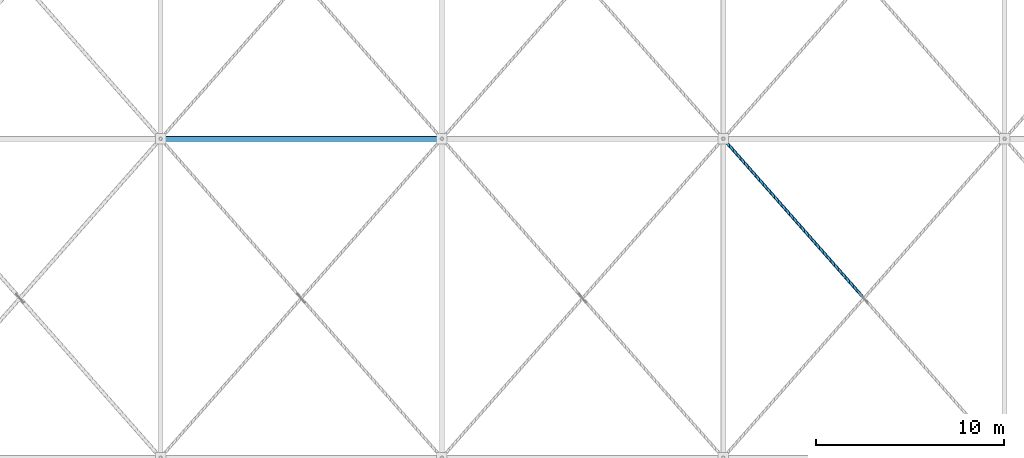
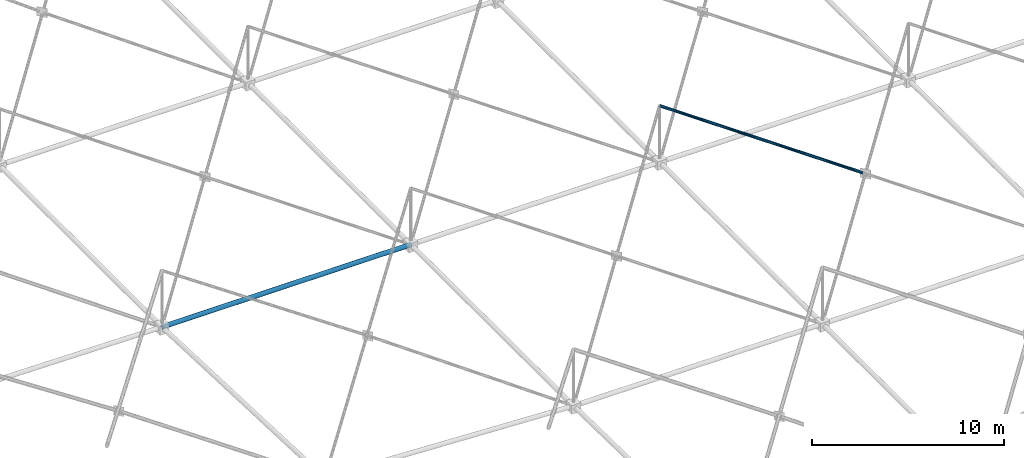
# One storey, part 38 of 224: 2 members.
"""IFC4 building model written with IfcOpenShell, lengths in metres."""

from ifc_helpers import new_model, si_unit, direction, frame, origin, origin_2d, place, context, subcontext, project, spatial, hollow_circle, extrude, material, material_profile, profile_set, type_object, element, save


model = new_model("IFC4")

# Units and contexts
model_context = context("Model", 3, precision=1e-05, world=origin(), true_north=direction((0.0, 1.0)))
body_context = subcontext(model_context, "Body", "Model", "MODEL_VIEW")
ifc_project = project(units=[si_unit("LENGTHUNIT", "METRE"), si_unit("AREAUNIT", "SQUARE_METRE"), si_unit("VOLUMEUNIT", "CUBIC_METRE"), si_unit("PLANEANGLEUNIT", "RADIAN"), si_unit("MASSUNIT", "GRAM", prefix="KILO")], contexts=[model_context])

# Site, building, storey
site_placement = place(None, origin())
site = spatial("IfcSite", under=ifc_project, at=site_placement, CompositionType="ELEMENT")
building_placement = place(site_placement, origin())
building = spatial("IfcBuilding", under=site, at=building_placement, Name="Qamarlyn Nura Convention Centre", CompositionType="ELEMENT")
storey_placement = place(building_placement, frame((0.0, 0.0, 10.800048828125)))
storey = spatial("IfcBuildingStorey", under=building, at=storey_placement, Name="L02", CompositionType="ELEMENT", Elevation=10.800048828125)

# Members
ifc_material = material(Name="Pearl-white PVDF steel ASTM A500 Grade C", Category="steel")
ifc_material_profile_1 = material_profile(ifc_material, hollow_circle(Radius=0.136474609375, WallThickness=0.012451171875, at=origin_2d()), Name="CHS273X12.5")
ifc_profile_set_1 = profile_set([ifc_material_profile_1], Name="Pearl-white PVDF steel ASTM A500 Grade C")
member_type_1 = type_object("IfcMemberType", Name="SF-BC-MAIN", PredefinedType="CHORD", material=ifc_profile_set_1)
member_1_placement = place(storey_placement, frame((15.0, 52.0, 0.80126953125), z_axis=(0.999999996689, 0.0, -8.1380208e-05), x_axis=(0.0, 1.0, 0.0)))
element("IfcMember", 1, at=member_1_placement, inside=storey, type_object=member_type_1, Name="ROOF TRUSS space frame bottom chord X3-4", PredefinedType="CHORD", context=body_context, shape_type="SweptSolid", body=[
    extrude(hollow_circle(Radius=0.136474609375, WallThickness=0.012451171875, at=origin_2d()), origin(), (0.0, 0.0, 1.0), 15.0),
])
ifc_material_profile_2 = material_profile(ifc_material, hollow_circle(Radius=0.084228515625, WallThickness=0.008056640625, at=origin_2d()), Name="CHS168.3X8")
ifc_profile_set_2 = profile_set([ifc_material_profile_2], Name="Pearl-white PVDF steel ASTM A500 Grade C")
member_type_2 = type_object("IfcMemberType", Name="SF-WEB-STD", PredefinedType="BRACE", material=ifc_profile_set_2)
member_2_placement = place(storey_placement, frame((52.408447265625, 43.603759765625, 2.6220703125), z_axis=(-0.653436826791, 0.740561737029, 0.156807611557), x_axis=(-0.749837855365, -0.661621637087, 0.0)))
element("IfcMember", 2, at=member_2_placement, inside=storey, type_object=member_type_2, Name="ROOF TRUSS space frame split diagonal B2 5-3", PredefinedType="BRACE", context=body_context, shape_type="SweptSolid", body=[
    extrude(hollow_circle(Radius=0.084228515625, WallThickness=0.008056640625, at=origin_2d()), origin(), (0.0, 0.0, 1.0), 11.337646484375),
])

save(model, "model.ifc")
